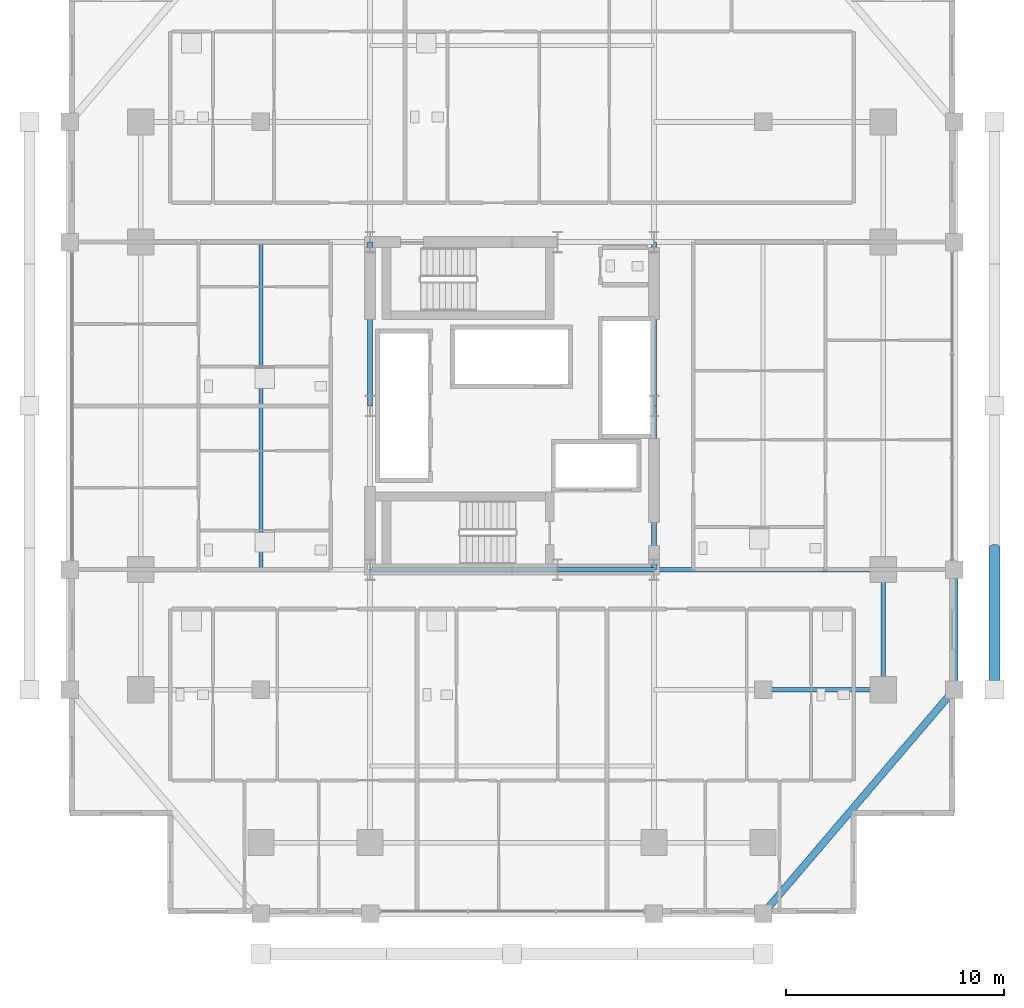
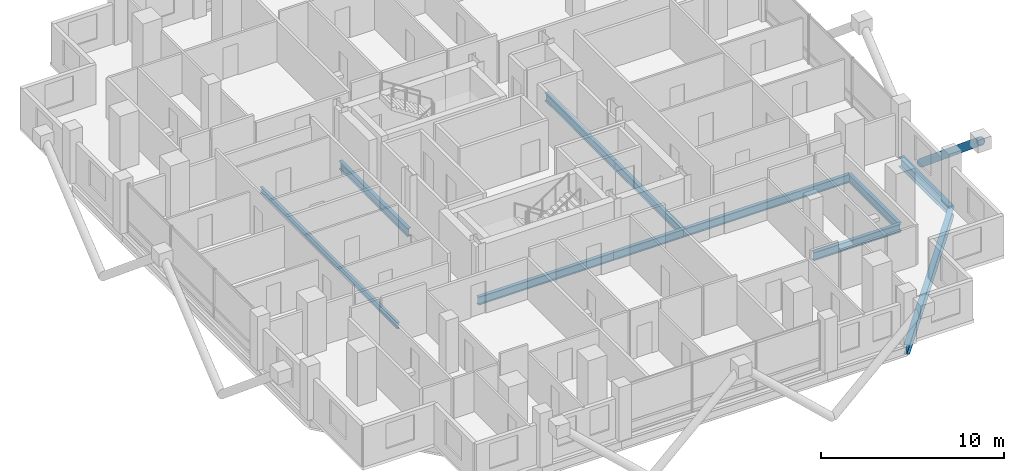
# One storey, part 7 of 23: 11 beams, 1 member.
"""IFC4 building model written with IfcOpenShell, lengths in metres."""

from ifc_helpers import new_model, si_unit, direction, frame, origin, origin_2d, place, context, subcontext, project, spatial, hollow_circle, i_section, extrude, material, material_profile, profile_set, type_object, element, save


model = new_model("IFC4")

# Units and contexts
model_context = context("Model", 3, precision=1e-05, world=origin(), true_north=direction((0.0, 1.0)))
body_context = subcontext(model_context, "Body", "Model", "MODEL_VIEW")
ifc_project = project(units=[si_unit("LENGTHUNIT", "METRE"), si_unit("AREAUNIT", "SQUARE_METRE"), si_unit("VOLUMEUNIT", "CUBIC_METRE"), si_unit("PLANEANGLEUNIT", "RADIAN"), si_unit("MASSUNIT", "GRAM", prefix="KILO")], contexts=[model_context])

# Site, building, storey
site_placement = place(None, origin())
site = spatial("IfcSite", under=ifc_project, at=site_placement, CompositionType="ELEMENT")
building_placement = place(site_placement, origin())
building = spatial("IfcBuilding", under=site, at=building_placement, Name="Barlavira Tower and Art Museum", CompositionType="ELEMENT")
storey_placement = place(building_placement, frame((0.0, 0.0, 117.0)))
storey = spatial("IfcBuildingStorey", under=building, at=storey_placement, Name="L29", CompositionType="ELEMENT", Elevation=117.0)

# Member
ifc_material = material(Name="Steel S355", Category="steel")
ifc_material_profile_1 = material_profile(ifc_material, hollow_circle(Radius=0.25390625, WallThickness=0.022216796875, at=origin_2d()), Name="CHS 508.0x22.2")
ifc_profile_set_1 = profile_set([ifc_material_profile_1], Name="Steel S355")
member_type = type_object("IfcMemberType", Name="Pale-Metal Exoskeleton Diagrid Tube CHS 508x22 Steel S355", PredefinedType="BRACE", material=ifc_profile_set_1)
member_placement = place(storey_placement, frame((22.10009765625, -6.5, -1.919921875), z_axis=(0.0, -0.769196053329, 0.639012857104), x_axis=(1.0, 0.0, 0.0)))
element("IfcMember", 1, at=member_placement, inside=storey, type_object=member_type, Name="L29 Exoskeleton Diagrid Tube E", PredefinedType="BRACE", context=body_context, shape_type="SweptSolid", body=[
    extrude(hollow_circle(Radius=0.25390625, WallThickness=0.022216796875, at=origin_2d()), origin(), (0.0, 0.0, 1.0), 8.450439453125),
])

# Beams
ifc_material_profile_2 = material_profile(ifc_material, i_section(OverallWidth=0.327880859375, OverallDepth=0.62890625, WebThickness=0.013916015625, FlangeThickness=0.021484375, at=origin_2d()), Name="W610x174.0")
ifc_profile_set_2 = profile_set([ifc_material_profile_2], Name="Steel S355")
beam_type_1 = type_object("IfcBeamType", Name="Perimeter Spandrel Edge Beam W610x174 Steel S355", PredefinedType="SPANDREL", material=ifc_profile_set_2)
beam_1_placement = place(storey_placement, frame((11.5, -23.25, -0.534423828125), z_axis=(0.649262379928, 0.760564502202, 0.0), x_axis=(-0.760564502202, 0.649262379928, 0.0)))
element("IfcBeam", 2, at=beam_1_placement, inside=storey, type_object=beam_type_1, Name="L29 Spandrel 4", PredefinedType="SPANDREL", context=body_context, shape_type="SweptSolid", body=[
    extrude(i_section(OverallWidth=0.327880859375, OverallDepth=0.62890625, WebThickness=0.013916015625, FlangeThickness=0.021484375, at=origin_2d()), origin(), (0.0, 0.0, 1.0), 13.476806640625),
])
beam_2_placement = place(storey_placement, frame((20.25, -13.0, -0.534423828125), z_axis=(0.0, 1.0, 0.0), x_axis=(-1.0, 0.0, 0.0)))
element("IfcBeam", 3, at=beam_2_placement, inside=storey, type_object=beam_type_1, Name="L29 Spandrel 5", PredefinedType="SPANDREL", context=body_context, shape_type="SweptSolid", body=[
    extrude(i_section(OverallWidth=0.327880859375, OverallDepth=0.62890625, WebThickness=0.013916015625, FlangeThickness=0.021484375, at=origin_2d()), origin(), (0.0, 0.0, 1.0), 5.5),
])
ifc_material_profile_3 = material_profile(ifc_material, i_section(OverallWidth=0.214111328125, OverallDepth=0.549072265625, WebThickness=0.0146484375, FlangeThickness=0.023681640625, at=origin_2d()), Name="W530x138.0")
ifc_profile_set_3 = profile_set([ifc_material_profile_3], Name="Steel S355")
beam_type_2 = type_object("IfcBeamType", Name="Zone 1 Primary Floor Girder W530x138 Steel S355", PredefinedType="BEAM", material=ifc_profile_set_3)
beam_3_placement = place(storey_placement, frame((-6.5, -7.5, -0.494384765625), z_axis=(1.0, 0.0, 0.0), x_axis=(0.0, 1.0, 0.0)))
element("IfcBeam", 4, at=beam_3_placement, inside=storey, type_object=beam_type_2, Name="L29 Girder C-S1", PredefinedType="BEAM", context=body_context, shape_type="SweptSolid", body=[
    extrude(i_section(OverallWidth=0.214111328125, OverallDepth=0.549072265625, WebThickness=0.0146484375, FlangeThickness=0.023681640625, at=origin_2d()), origin(), (0.0, 0.0, 1.0), 8.580078125),
])
beam_4_placement = place(storey_placement, frame((2.080078125, -7.5, -0.494384765625), z_axis=(1.0, 0.0, 0.0), x_axis=(0.0, 1.0, 0.0)))
element("IfcBeam", 5, at=beam_4_placement, inside=storey, type_object=beam_type_2, Name="L29 Girder C-S2", PredefinedType="BEAM", context=body_context, shape_type="SweptSolid", body=[
    extrude(i_section(OverallWidth=0.214111328125, OverallDepth=0.549072265625, WebThickness=0.0146484375, FlangeThickness=0.023681640625, at=origin_2d()), origin(), (0.0, 0.0, 1.0), 4.419921875),
])
for number, where, z_axis, x_axis, name in (
    (6, (-6.5, 0.0, -0.494384765625), (0.0, 1.0, 0.0), (-1.0, 0.0, 0.0), "L29 Girder C-W2"),
    (7, (6.5, -7.5, -0.494384765625), (0.0, 1.0, 0.0), (-1.0, 0.0, 0.0), "L29 Girder C-E1"),
    (8, (6.5, 0.0, -0.494384765625), (0.0, 1.0, 0.0), (-1.0, 0.0, 0.0), "L29 Girder C-E2"),
):
    element("IfcBeam", number, at=place(storey_placement, frame(where, z_axis=z_axis, x_axis=x_axis)), inside=storey, type_object=beam_type_2, Name=name, PredefinedType="BEAM", context=body_context, shape_type="SweptSolid", body=[
        extrude(i_section(OverallWidth=0.214111328125, OverallDepth=0.549072265625, WebThickness=0.0146484375, FlangeThickness=0.023681640625, at=origin_2d()), origin(), (0.0, 0.0, 1.0), 7.5),
    ])
beam_5_placement = place(storey_placement, frame((17.0, -13.0, -0.494384765625), z_axis=(0.0, 1.0, 0.0), x_axis=(-1.0, 0.0, 0.0)))
element("IfcBeam", 9, at=beam_5_placement, inside=storey, type_object=beam_type_2, Name="L29 Girder M-E1", PredefinedType="BEAM", context=body_context, shape_type="SweptSolid", body=[
    extrude(i_section(OverallWidth=0.214111328125, OverallDepth=0.549072265625, WebThickness=0.0146484375, FlangeThickness=0.023681640625, at=origin_2d()), origin(), (0.0, 0.0, 1.0), 5.5),
])
beam_6_placement = place(storey_placement, frame((6.5, -7.5, -0.494384765625), z_axis=(1.0, 0.0, 0.0), x_axis=(0.0, 1.0, 0.0)))
element("IfcBeam", 10, at=beam_6_placement, inside=storey, type_object=beam_type_2, Name="L29 Girder R-E1", PredefinedType="BEAM", context=body_context, shape_type="SweptSolid", body=[
    extrude(i_section(OverallWidth=0.214111328125, OverallDepth=0.549072265625, WebThickness=0.0146484375, FlangeThickness=0.023681640625, at=origin_2d()), origin(), (0.0, 0.0, 1.0), 10.5),
])
beam_7_placement = place(storey_placement, frame((11.5, -13.0, -0.494384765625), z_axis=(1.0, 0.0, 0.0), x_axis=(0.0, 1.0, 0.0)))
element("IfcBeam", 11, at=beam_7_placement, inside=storey, type_object=beam_type_2, Name="L29 Girder I-S4", PredefinedType="BEAM", context=body_context, shape_type="SweptSolid", body=[
    extrude(i_section(OverallWidth=0.214111328125, OverallDepth=0.549072265625, WebThickness=0.0146484375, FlangeThickness=0.023681640625, at=origin_2d()), origin(), (0.0, 0.0, 1.0), 5.5),
])
ifc_material_profile_4 = material_profile(ifc_material, i_section(OverallWidth=0.179931640625, OverallDepth=0.4130859375, WebThickness=0.009765625, FlangeThickness=0.01611328125, at=origin_2d()), Name="W410x75.0")
ifc_profile_set_4 = profile_set([ifc_material_profile_4], Name="Steel S355")
beam_type_3 = type_object("IfcBeamType", Name="Zone 2 Composite Floor Joist W410x75 Steel S355", PredefinedType="JOIST", material=ifc_profile_set_4)
beam_8_placement = place(storey_placement, frame((-11.5, -7.5, -0.426513671875), z_axis=(0.0, 1.0, 0.0), x_axis=(-1.0, 0.0, 0.0)))
element("IfcBeam", 12, at=beam_8_placement, inside=storey, type_object=beam_type_3, Name="L29 Joist W1", PredefinedType="JOIST", context=body_context, shape_type="SweptSolid", body=[
    extrude(i_section(OverallWidth=0.179931640625, OverallDepth=0.4130859375, WebThickness=0.009765625, FlangeThickness=0.01611328125, at=origin_2d()), origin(), (0.0, 0.0, 1.0), 15.0),
])

save(model, "model.ifc")
